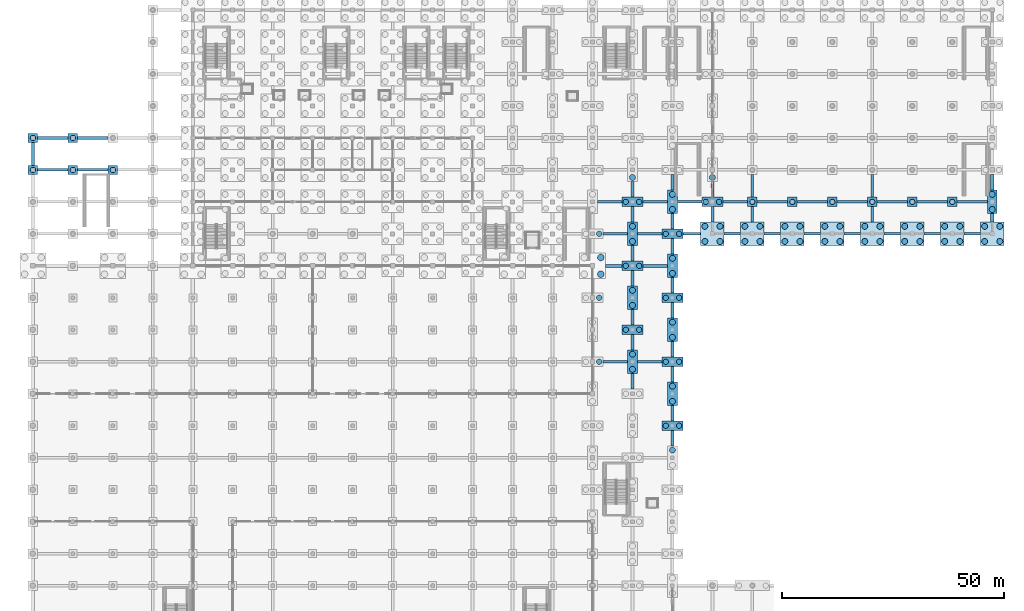
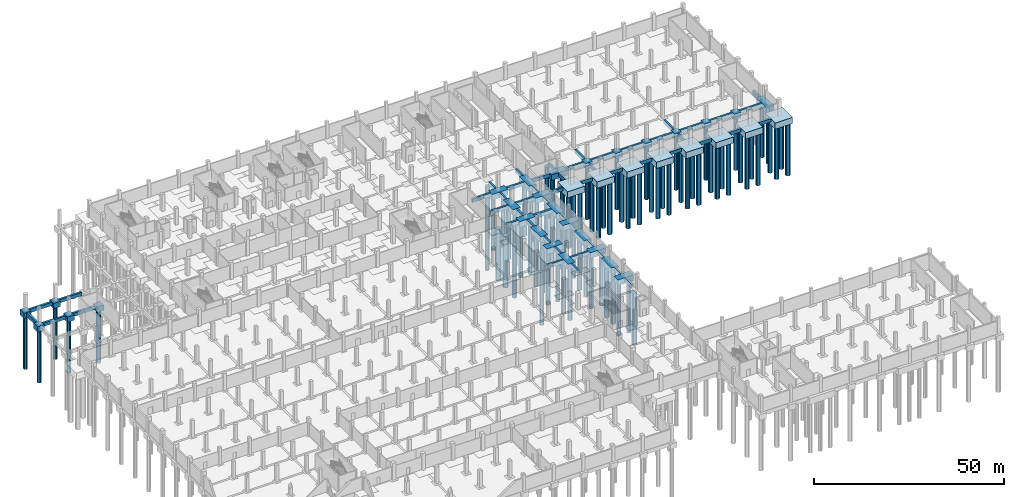
# One storey, part 8 of 39: 88 footings, 83 piles.
"""IFC4 building model written with IfcOpenShell, lengths in metres."""

from ifc_helpers import new_model, si_unit, direction, frame, origin, origin_2d, place, context, subcontext, project, spatial, rectangle, circle, extrude, material, material_profile, profile_set, type_object, element, save


model = new_model("IFC4")

# Units and contexts
model_context = context("Model", 3, precision=1e-05, world=origin(), true_north=direction((0.0, 1.0)))
body_context = subcontext(model_context, "Body", "Model", "MODEL_VIEW")
ifc_project = project(units=[si_unit("LENGTHUNIT", "METRE"), si_unit("AREAUNIT", "SQUARE_METRE"), si_unit("VOLUMEUNIT", "CUBIC_METRE"), si_unit("PLANEANGLEUNIT", "RADIAN"), si_unit("MASSUNIT", "GRAM", prefix="KILO")], contexts=[model_context])

# Site, building, storey
site_placement = place(None, origin())
site = spatial("IfcSite", under=ifc_project, at=site_placement, CompositionType="ELEMENT")
building_placement = place(site_placement, origin())
building = spatial("IfcBuilding", under=site, at=building_placement, Name="Celestram Park Convention Centre", CompositionType="ELEMENT")
storey_placement = place(building_placement, frame((0.0, 0.0, -5.39990234375)))
storey = spatial("IfcBuildingStorey", under=building, at=storey_placement, Name="B1", CompositionType="ELEMENT", Elevation=-5.39990234375)

# Footings
ifc_material_1 = material(Name="Concrete C40/50", Category="concrete")
footing_type_1 = type_object("IfcFootingType", Name="STR-CAP-PC2", PredefinedType="PILE_CAP", material=ifc_material_1)
for number, where, z_axis, x_axis, name in (
    (1, (0.0, 129.60009765625, -1.7001953125), (0.0, 0.0, 1.0), (1.0, 0.0, 0.0), "Caisson cap PC-02 at (0.0, 129.6)"),
    (2, (0.0, 136.800048828125, -1.7001953125), (0.0, 0.0, 1.0), (1.0, 0.0, 0.0), "Caisson cap PC-02 at (0.0, 136.8)"),
    (3, (9.0, 129.60009765625, -1.7001953125), (0.0, 0.0, 1.0), (1.0, 0.0, 0.0), "Caisson cap PC-02 at (9.0, 129.6)"),
    (4, (9.0, 136.800048828125, -1.7001953125), (0.0, 0.0, 1.0), (1.0, 0.0, 0.0), "Caisson cap PC-02 at (9.0, 136.8)"),
    (5, (18.0, 129.60009765625, -1.7001953125), (0.0, 0.0, 1.0), (1.0, 0.0, 0.0), "Caisson cap PC-02 at (18.0, 129.6)"),
    (6, (162.0, 122.39990234375, -1.7001953125), (0.0, 0.0, 1.0), (1.0, 0.0, 0.0), "Caisson cap PC-02 at (162.0, 122.4)"),
    (7, (171.0, 122.39990234375, -1.7001953125), (0.0, 0.0, 1.0), (1.0, 0.0, 0.0), "Caisson cap PC-02 at (171.0, 122.4)"),
    (8, (180.0, 122.39990234375, -1.7001953125), (0.0, 0.0, 1.0), (1.0, 0.0, 0.0), "Caisson cap PC-02 at (180.0, 122.4)"),
    (9, (189.0, 122.39990234375, -1.7001953125), (0.0, 0.0, 1.0), (1.0, 0.0, 0.0), "Caisson cap PC-02 at (189.0, 122.4)"),
    (10, (198.0, 122.39990234375, -1.7001953125), (0.0, 0.0, 1.0), (1.0, 0.0, 0.0), "Caisson cap PC-02 at (198.0, 122.4)"),
    (11, (207.0, 122.39990234375, -1.7001953125), (0.0, 0.0, 1.0), (1.0, 0.0, 0.0), "Caisson cap PC-02 at (207.0, 122.4)"),
):
    element("IfcFooting", number, at=place(storey_placement, frame(where, z_axis=z_axis, x_axis=x_axis)), inside=storey, type_object=footing_type_1, Name=name, PredefinedType="PILE_CAP", context=body_context, shape_type="SweptSolid", body=[
        extrude(rectangle(XDim=2.10009765625, YDim=2.10009765625, at=origin_2d()), origin(), (0.0, 0.0, 1.0), 1.699951171875),
    ])
footing_type_2 = type_object("IfcFootingType", Name="STR-CAP-PC4", PredefinedType="PILE_CAP", material=ifc_material_1)
for number, where, z_axis, x_axis, name in (
    (12, (135.0, 93.60009765625, -1.80029296875), (0.0, 0.0, 1.0), (1.0, 0.0, 0.0), "Caisson cap PC-04 at (135.0, 93.6)"),
    (13, (135.0, 108.0, -1.80029296875), (0.0, 0.0, 1.0), (1.0, 0.0, 0.0), "Caisson cap PC-04 at (135.0, 108.0)"),
    (14, (135.0, 122.39990234375, -1.80029296875), (0.0, 0.0, 1.0), (1.0, 0.0, 0.0), "Caisson cap PC-04 at (135.0, 122.4)"),
    (15, (144.0, 72.0, -1.80029296875), (0.0, 0.0, 1.0), (1.0, 0.0, 0.0), "Caisson cap PC-04 at (144.0, 72.0)"),
    (16, (144.0, 86.39990234375, -1.80029296875), (0.0, 0.0, 1.0), (1.0, 0.0, 0.0), "Caisson cap PC-04 at (144.0, 86.4)"),
    (17, (144.0, 100.800048828125, -1.80029296875), (0.0, 0.0, 1.0), (1.0, 0.0, 0.0), "Caisson cap PC-04 at (144.0, 100.8)"),
    (18, (144.0, 115.199951171875, -1.80029296875), (0.0, 0.0, 1.0), (1.0, 0.0, 0.0), "Caisson cap PC-04 at (144.0, 115.2)"),
    (19, (153.0, 122.39990234375, -1.80029296875), (0.0, 0.0, 1.0), (1.0, 0.0, 0.0), "Caisson cap PC-04 at (153.0, 122.4)"),
):
    element("IfcFooting", number, at=place(storey_placement, frame(where, z_axis=z_axis, x_axis=x_axis)), inside=storey, type_object=footing_type_2, Name=name, PredefinedType="PILE_CAP", context=body_context, shape_type="SweptSolid", body=[
        extrude(rectangle(XDim=4.800048828125, YDim=2.10009765625, at=origin_2d()), origin(), (0.0, 0.0, 1.0), 1.800048828125),
    ])
footing_type_3 = type_object("IfcFootingType", Name="STR-CAP-PC5", PredefinedType="PILE_CAP", material=ifc_material_1)
for number, where, z_axis, x_axis, name in (
    (20, (135.0, 86.39990234375, -1.900146484375), (0.0, 0.0, 1.0), (1.0, 0.0, 0.0), "Caisson cap PC-05 at (135.0, 86.4)"),
    (21, (135.0, 100.800048828125, -1.900146484375), (0.0, 0.0, 1.0), (1.0, 0.0, 0.0), "Caisson cap PC-05 at (135.0, 100.8)"),
    (22, (135.0, 115.199951171875, -1.900146484375), (0.0, 0.0, 1.0), (1.0, 0.0, 0.0), "Caisson cap PC-05 at (135.0, 115.2)"),
    (23, (144.0, 79.199951171875, -1.900146484375), (0.0, 0.0, 1.0), (1.0, 0.0, 0.0), "Caisson cap PC-05 at (144.0, 79.2)"),
    (24, (144.0, 93.60009765625, -1.900146484375), (0.0, 0.0, 1.0), (1.0, 0.0, 0.0), "Caisson cap PC-05 at (144.0, 93.6)"),
    (25, (144.0, 108.0, -1.900146484375), (0.0, 0.0, 1.0), (1.0, 0.0, 0.0), "Caisson cap PC-05 at (144.0, 108.0)"),
    (26, (144.0, 122.39990234375, -1.900146484375), (0.0, 0.0, 1.0), (1.0, 0.0, 0.0), "Caisson cap PC-05 at (144.0, 122.4)"),
    (27, (216.0, 122.39990234375, -1.900146484375), (0.0, 0.0, 1.0), (1.0, 0.0, 0.0), "Caisson cap PC-05 at (216.0, 122.4)"),
):
    element("IfcFooting", number, at=place(storey_placement, frame(where, z_axis=z_axis, x_axis=x_axis)), inside=storey, type_object=footing_type_3, Name=name, PredefinedType="PILE_CAP", context=body_context, shape_type="SweptSolid", body=[
        extrude(rectangle(XDim=2.199951171875, YDim=5.300048828125, at=origin_2d()), origin(), (0.0, 0.0, 1.0), 1.89990234375),
    ])
footing_type_4 = type_object("IfcFootingType", Name="STR-CAP-PC7", PredefinedType="PILE_CAP", material=ifc_material_1)
for number, where, z_axis, x_axis, name in (
    (28, (153.0, 115.199951171875, -2.0), (0.0, 0.0, 1.0), (1.0, 0.0, 0.0), "Caisson cap PC-07 at (153.0, 115.2)"),
    (29, (162.0, 115.199951171875, -2.0), (0.0, 0.0, 1.0), (1.0, 0.0, 0.0), "Caisson cap PC-07 at (162.0, 115.2)"),
    (30, (171.0, 115.199951171875, -2.0), (0.0, 0.0, 1.0), (1.0, 0.0, 0.0), "Caisson cap PC-07 at (171.0, 115.2)"),
    (31, (180.0, 115.199951171875, -2.0), (0.0, 0.0, 1.0), (1.0, 0.0, 0.0), "Caisson cap PC-07 at (180.0, 115.2)"),
    (32, (189.0, 115.199951171875, -2.0), (0.0, 0.0, 1.0), (1.0, 0.0, 0.0), "Caisson cap PC-07 at (189.0, 115.2)"),
    (33, (198.0, 115.199951171875, -2.0), (0.0, 0.0, 1.0), (1.0, 0.0, 0.0), "Caisson cap PC-07 at (198.0, 115.2)"),
    (34, (207.0, 115.199951171875, -2.0), (0.0, 0.0, 1.0), (1.0, 0.0, 0.0), "Caisson cap PC-07 at (207.0, 115.2)"),
    (35, (216.0, 115.199951171875, -2.0), (0.0, 0.0, 1.0), (1.0, 0.0, 0.0), "Caisson cap PC-07 at (216.0, 115.2)"),
):
    element("IfcFooting", number, at=place(storey_placement, frame(where, z_axis=z_axis, x_axis=x_axis)), inside=storey, type_object=footing_type_4, Name=name, PredefinedType="PILE_CAP", context=body_context, shape_type="SweptSolid", body=[
        extrude(rectangle(XDim=5.300048828125, YDim=5.300048828125, at=origin_2d()), origin(), (0.0, 0.0, 1.0), 2.0),
    ])
ifc_material_2 = material(Name="Concrete C35/45", Category="concrete")
footing_type_5 = type_object("IfcFootingType", Name="STR-FTG-GB03", PredefinedType="FOOTING_BEAM", material=ifc_material_2)
footing_1_placement = place(storey_placement, frame((0.0, 133.199951171875, -1.2001953125), z_axis=(0.0, 0.0, 1.0), x_axis=(0.0, 1.0, 0.0)))
element("IfcFooting", 36, at=footing_1_placement, inside=storey, type_object=footing_type_5, Name="Grade tie beam GB-B1-025", PredefinedType="FOOTING_BEAM", context=body_context, shape_type="SweptSolid", body=[
    extrude(rectangle(XDim=5.10009765625, YDim=0.699951171875, at=origin_2d()), origin(), (0.0, 0.0, 1.0), 1.199951171875),
])
footing_type_6 = type_object("IfcFootingType", Name="STR-FTG-GB05", PredefinedType="FOOTING_BEAM", material=ifc_material_2)
for number, where, z_axis, x_axis, name in (
    (37, (4.5, 129.60009765625, -1.10009765625), (0.0, 0.0, 1.0), (1.0, 0.0, 0.0), "Grade tie beam GB-B1-024"),
    (38, (4.5, 136.800048828125, -1.10009765625), (0.0, 0.0, 1.0), (1.0, 0.0, 0.0), "Grade tie beam GB-B1-026"),
    (39, (13.5, 129.60009765625, -1.10009765625), (0.0, 0.0, 1.0), (1.0, 0.0, 0.0), "Grade tie beam GB-B1-035"),
    (40, (13.5, 136.800048828125, -1.10009765625), (0.0, 0.0, 1.0), (1.0, 0.0, 0.0), "Grade tie beam GB-B1-036"),
    (41, (166.5, 122.39990234375, -1.10009765625), (0.0, 0.0, 1.0), (1.0, 0.0, 0.0), "Grade tie beam GB-B1-473"),
    (42, (175.5, 122.39990234375, -1.10009765625), (0.0, 0.0, 1.0), (1.0, 0.0, 0.0), "Grade tie beam GB-B1-488"),
    (43, (184.5, 122.39990234375, -1.10009765625), (0.0, 0.0, 1.0), (1.0, 0.0, 0.0), "Grade tie beam GB-B1-497"),
    (44, (193.5, 122.39990234375, -1.10009765625), (0.0, 0.0, 1.0), (1.0, 0.0, 0.0), "Grade tie beam GB-B1-512"),
    (45, (202.5, 122.39990234375, -1.10009765625), (0.0, 0.0, 1.0), (1.0, 0.0, 0.0), "Grade tie beam GB-B1-527"),
):
    element("IfcFooting", number, at=place(storey_placement, frame(where, z_axis=z_axis, x_axis=x_axis)), inside=storey, type_object=footing_type_6, Name=name, PredefinedType="FOOTING_BEAM", context=body_context, shape_type="SweptSolid", body=[
        extrude(rectangle(XDim=6.89990234375, YDim=0.60009765625, at=origin_2d()), origin(), (0.0, 0.0, 1.0), 1.10009765625),
    ])
footing_type_7 = type_object("IfcFootingType", Name="STR-FTG-GB09", PredefinedType="FOOTING_BEAM", material=ifc_material_2)
for number, where, z_axis, x_axis, name in (
    (46, (162.0, 126.0, -1.10009765625), (0.0, 0.0, 1.0), (0.0, 1.0, 0.0), "Grade tie beam GB-B1-474"),
    (47, (189.0, 126.0, -1.10009765625), (0.0, 0.0, 1.0), (0.0, 1.0, 0.0), "Grade tie beam GB-B1-513"),
):
    element("IfcFooting", number, at=place(storey_placement, frame(where, z_axis=z_axis, x_axis=x_axis)), inside=storey, type_object=footing_type_7, Name=name, PredefinedType="FOOTING_BEAM", context=body_context, shape_type="SweptSolid", body=[
        extrude(rectangle(XDim=5.10009765625, YDim=0.60009765625, at=origin_2d()), origin(), (0.0, 0.0, 1.0), 1.10009765625),
    ])
footing_type_8 = type_object("IfcFootingType", Name="STR-FTG-GB17", PredefinedType="FOOTING_BEAM", material=ifc_material_2)
for number, where, z_axis, x_axis, name in (
    (48, (157.5, 115.199951171875, -1.10009765625), (0.0, 0.0, 1.0), (1.0, 0.0, 0.0), "Grade tie beam GB-B1-450"),
    (49, (166.5, 115.199951171875, -1.10009765625), (0.0, 0.0, 1.0), (1.0, 0.0, 0.0), "Grade tie beam GB-B1-471"),
    (50, (175.5, 115.199951171875, -1.10009765625), (0.0, 0.0, 1.0), (1.0, 0.0, 0.0), "Grade tie beam GB-B1-487"),
    (51, (184.5, 115.199951171875, -1.10009765625), (0.0, 0.0, 1.0), (1.0, 0.0, 0.0), "Grade tie beam GB-B1-496"),
    (52, (193.5, 115.199951171875, -1.10009765625), (0.0, 0.0, 1.0), (1.0, 0.0, 0.0), "Grade tie beam GB-B1-510"),
    (53, (202.5, 115.199951171875, -1.10009765625), (0.0, 0.0, 1.0), (1.0, 0.0, 0.0), "Grade tie beam GB-B1-526"),
    (54, (211.5, 115.199951171875, -1.10009765625), (0.0, 0.0, 1.0), (1.0, 0.0, 0.0), "Grade tie beam GB-B1-535"),
):
    element("IfcFooting", number, at=place(storey_placement, frame(where, z_axis=z_axis, x_axis=x_axis)), inside=storey, type_object=footing_type_8, Name=name, PredefinedType="FOOTING_BEAM", context=body_context, shape_type="SweptSolid", body=[
        extrude(rectangle(XDim=3.699951171875, YDim=0.60009765625, at=origin_2d()), origin(), (0.0, 0.0, 1.0), 1.10009765625),
    ])
footing_type_9 = type_object("IfcFootingType", Name="STR-FTG-GB18", PredefinedType="FOOTING_BEAM", material=ifc_material_2)
footing_2_placement = place(storey_placement, frame((216.0, 118.800048828125, -1.2001953125), z_axis=(0.0, 0.0, 1.0), x_axis=(0.0, 1.0, 0.0)))
element("IfcFooting", 55, at=footing_2_placement, inside=storey, type_object=footing_type_9, Name="Grade tie beam GB-B1-546", PredefinedType="FOOTING_BEAM", context=body_context, shape_type="SweptSolid", body=[
    extrude(rectangle(XDim=1.89990234375, YDim=0.699951171875, at=origin_2d()), origin(), (0.0, 0.0, 1.0), 1.199951171875),
])
footing_type_10 = type_object("IfcFootingType", Name="STR-FTG-GB19", PredefinedType="FOOTING_BEAM", material=ifc_material_2)
footing_3_placement = place(storey_placement, frame((130.75, 108.0, -1.2001953125), z_axis=(0.0, 0.0, 1.0), x_axis=(1.0, 0.0, 0.0)))
element("IfcFooting", 56, at=footing_3_placement, inside=storey, type_object=footing_type_10, Name="Grade tie beam GB-B1-363", PredefinedType="FOOTING_BEAM", context=body_context, shape_type="SweptSolid", body=[
    extrude(rectangle(XDim=3.699951171875, YDim=0.699951171875, at=origin_2d()), origin(), (0.0, 0.0, 1.0), 1.199951171875),
])
footing_type_11 = type_object("IfcFootingType", Name="STR-FTG-GB23", PredefinedType="FOOTING_BEAM", material=ifc_material_2)
for number, where, z_axis, x_axis, name in (
    (57, (135.0, 82.0, -1.10009765625), (0.0, 0.0, 1.0), (0.0, 1.0, 0.0), "Grade tie beam GB-B1-390"),
    (58, (135.0, 90.800048828125, -1.10009765625), (0.0, 0.0, 1.0), (0.0, 1.0, 0.0), "Grade tie beam GB-B1-392"),
    (59, (135.0, 96.39990234375, -1.10009765625), (0.0, 0.0, 1.0), (0.0, 1.0, 0.0), "Grade tie beam GB-B1-393"),
    (60, (135.0, 105.199951171875, -1.10009765625), (0.0, 0.0, 1.0), (0.0, 1.0, 0.0), "Grade tie beam GB-B1-394"),
    (61, (135.0, 110.800048828125, -1.10009765625), (0.0, 0.0, 1.0), (0.0, 1.0, 0.0), "Grade tie beam GB-B1-396"),
    (62, (135.0, 119.60009765625, -1.10009765625), (0.0, 0.0, 1.0), (0.0, 1.0, 0.0), "Grade tie beam GB-B1-398"),
    (63, (135.0, 125.199951171875, -1.10009765625), (0.0, 0.0, 1.0), (0.0, 1.0, 0.0), "Grade tie beam GB-B1-400"),
    (64, (144.0, 69.199951171875, -1.10009765625), (0.0, 0.0, 1.0), (0.0, 1.0, 0.0), "Grade tie beam GB-B1-422"),
    (65, (144.0, 74.800048828125, -1.10009765625), (0.0, 0.0, 1.0), (0.0, 1.0, 0.0), "Grade tie beam GB-B1-423"),
    (66, (144.0, 83.60009765625, -1.10009765625), (0.0, 0.0, 1.0), (0.0, 1.0, 0.0), "Grade tie beam GB-B1-424"),
    (67, (144.0, 89.199951171875, -1.10009765625), (0.0, 0.0, 1.0), (0.0, 1.0, 0.0), "Grade tie beam GB-B1-425"),
    (68, (144.0, 98.0, -1.10009765625), (0.0, 0.0, 1.0), (0.0, 1.0, 0.0), "Grade tie beam GB-B1-426"),
    (69, (144.0, 103.60009765625, -1.10009765625), (0.0, 0.0, 1.0), (0.0, 1.0, 0.0), "Grade tie beam GB-B1-427"),
    (70, (144.0, 112.39990234375, -1.10009765625), (0.0, 0.0, 1.0), (0.0, 1.0, 0.0), "Grade tie beam GB-B1-428"),
    (71, (144.0, 118.0, -1.10009765625), (0.0, 0.0, 1.0), (0.0, 1.0, 0.0), "Grade tie beam GB-B1-430"),
    (72, (144.0, 126.800048828125, -1.10009765625), (0.0, 0.0, 1.0), (0.0, 1.0, 0.0), "Grade tie beam GB-B1-432"),
    (73, (153.0, 119.60009765625, -1.10009765625), (0.0, 0.0, 1.0), (0.0, 1.0, 0.0), "Grade tie beam GB-B1-451"),
    (74, (153.0, 125.199951171875, -1.10009765625), (0.0, 0.0, 1.0), (0.0, 1.0, 0.0), "Grade tie beam GB-B1-453"),
    (75, (162.0, 119.60009765625, -1.10009765625), (0.0, 0.0, 1.0), (0.0, 1.0, 0.0), "Grade tie beam GB-B1-472"),
    (76, (189.0, 119.60009765625, -1.10009765625), (0.0, 0.0, 1.0), (0.0, 1.0, 0.0), "Grade tie beam GB-B1-511"),
):
    element("IfcFooting", number, at=place(storey_placement, frame(where, z_axis=z_axis, x_axis=x_axis)), inside=storey, type_object=footing_type_11, Name=name, PredefinedType="FOOTING_BEAM", context=body_context, shape_type="SweptSolid", body=[
        extrude(rectangle(XDim=3.5, YDim=0.60009765625, at=origin_2d()), origin(), (0.0, 0.0, 1.0), 1.10009765625),
    ])
footing_type_12 = type_object("IfcFootingType", Name="STR-FTG-GB25", PredefinedType="FOOTING_BEAM", material=ifc_material_2)
footing_4_placement = place(storey_placement, frame((158.175048828125, 122.39990234375, -1.10009765625), z_axis=(0.0, 0.0, 1.0), x_axis=(1.0, 0.0, 0.0)))
element("IfcFooting", 77, at=footing_4_placement, inside=storey, type_object=footing_type_12, Name="Grade tie beam GB-B1-452", PredefinedType="FOOTING_BEAM", context=body_context, shape_type="SweptSolid", body=[
    extrude(rectangle(XDim=5.550048828125, YDim=0.60009765625, at=origin_2d()), origin(), (0.0, 0.0, 1.0), 1.10009765625),
])
footing_type_13 = type_object("IfcFootingType", Name="STR-FTG-GB26", PredefinedType="FOOTING_BEAM", material=ifc_material_2)
footing_5_placement = place(storey_placement, frame((148.375, 115.199951171875, -1.10009765625), z_axis=(0.0, 0.0, 1.0), x_axis=(1.0, 0.0, 0.0)))
element("IfcFooting", 78, at=footing_5_placement, inside=storey, type_object=footing_type_13, Name="Grade tie beam GB-B1-429", PredefinedType="FOOTING_BEAM", context=body_context, shape_type="SweptSolid", body=[
    extrude(rectangle(XDim=3.949951171875, YDim=0.60009765625, at=origin_2d()), origin(), (0.0, 0.0, 1.0), 1.10009765625),
])
footing_type_14 = type_object("IfcFootingType", Name="STR-FTG-GB33", PredefinedType="FOOTING_BEAM", material=ifc_material_2)
for number, where, z_axis, x_axis, name in (
    (79, (131.14990234375, 86.39990234375, -1.10009765625), (0.0, 0.0, 1.0), (1.0, 0.0, 0.0), "Grade tie beam GB-B1-359"),
    (80, (131.14990234375, 115.199951171875, -1.10009765625), (0.0, 0.0, 1.0), (1.0, 0.0, 0.0), "Grade tie beam GB-B1-365"),
    (81, (129.85009765625, 122.39990234375, -1.10009765625), (0.0, 0.0, 1.0), (1.0, 0.0, 0.0), "Grade tie beam GB-B1-367"),
    (82, (138.85009765625, 86.39990234375, -1.10009765625), (0.0, 0.0, 1.0), (1.0, 0.0, 0.0), "Grade tie beam GB-B1-391"),
    (83, (138.85009765625, 115.199951171875, -1.10009765625), (0.0, 0.0, 1.0), (1.0, 0.0, 0.0), "Grade tie beam GB-B1-397"),
    (84, (140.14990234375, 122.39990234375, -1.10009765625), (0.0, 0.0, 1.0), (1.0, 0.0, 0.0), "Grade tie beam GB-B1-399"),
    (85, (147.85009765625, 122.39990234375, -1.10009765625), (0.0, 0.0, 1.0), (1.0, 0.0, 0.0), "Grade tie beam GB-B1-431"),
):
    element("IfcFooting", number, at=place(storey_placement, frame(where, z_axis=z_axis, x_axis=x_axis)), inside=storey, type_object=footing_type_14, Name=name, PredefinedType="FOOTING_BEAM", context=body_context, shape_type="SweptSolid", body=[
        extrude(rectangle(XDim=5.5, YDim=0.60009765625, at=origin_2d()), origin(), (0.0, 0.0, 1.0), 1.10009765625),
    ])
footing_type_15 = type_object("IfcFootingType", Name="STR-FTG-GB34", PredefinedType="FOOTING_BEAM", material=ifc_material_2)
footing_6_placement = place(storey_placement, frame((140.14990234375, 108.0, -1.2001953125), z_axis=(0.0, 0.0, 1.0), x_axis=(1.0, 0.0, 0.0)))
element("IfcFooting", 86, at=footing_6_placement, inside=storey, type_object=footing_type_15, Name="Grade tie beam GB-B1-395", PredefinedType="FOOTING_BEAM", context=body_context, shape_type="SweptSolid", body=[
    extrude(rectangle(XDim=5.5, YDim=0.699951171875, at=origin_2d()), origin(), (0.0, 0.0, 1.0), 1.199951171875),
])
footing_type_16 = type_object("IfcFootingType", Name="STR-FTG-GB39", PredefinedType="FOOTING_BEAM", material=ifc_material_2)
footing_7_placement = place(storey_placement, frame((216.0, 126.800048828125, -1.2001953125), z_axis=(0.0, 0.0, 1.0), x_axis=(0.0, 1.0, 0.0)))
element("IfcFooting", 87, at=footing_7_placement, inside=storey, type_object=footing_type_16, Name="Grade tie beam GB-B1-547", PredefinedType="FOOTING_BEAM", context=body_context, shape_type="SweptSolid", body=[
    extrude(rectangle(XDim=3.5, YDim=0.699951171875, at=origin_2d()), origin(), (0.0, 0.0, 1.0), 1.199951171875),
])
footing_type_17 = type_object("IfcFootingType", Name="STR-FTG-GB46", PredefinedType="FOOTING_BEAM", material=ifc_material_2)
footing_8_placement = place(storey_placement, frame((211.47509765625, 122.39990234375, -1.10009765625), z_axis=(0.0, 0.0, 1.0), x_axis=(1.0, 0.0, 0.0)))
element("IfcFooting", 88, at=footing_8_placement, inside=storey, type_object=footing_type_17, Name="Grade tie beam GB-B1-536", PredefinedType="FOOTING_BEAM", context=body_context, shape_type="SweptSolid", body=[
    extrude(rectangle(XDim=6.85009765625, YDim=0.60009765625, at=origin_2d()), origin(), (0.0, 0.0, 1.0), 1.10009765625),
])

# Piles
ifc_material_profile_1 = material_profile(ifc_material_1, circle(Radius=0.60009765625, at=origin_2d()), Name="CAISSON1200")
ifc_profile_set_1 = profile_set([ifc_material_profile_1], Name="Concrete C40/50")
pile_type_1 = type_object("IfcPileType", Name="STR-PIL-C1200", PredefinedType="BORED", material=ifc_profile_set_1)
for number, where, z_axis, x_axis, name in (
    (89, (0.0, 129.60009765625, -1.60009765625), (0.0, 0.0, -1.0), (1.0, 0.0, 0.0), "Bored caisson PC-B1-022"),
    (90, (0.0, 136.800048828125, -1.60009765625), (0.0, 0.0, -1.0), (1.0, 0.0, 0.0), "Bored caisson PC-B1-023"),
    (91, (9.0, 129.60009765625, -1.60009765625), (0.0, 0.0, -1.0), (1.0, 0.0, 0.0), "Bored caisson PC-B1-039"),
    (92, (9.0, 136.800048828125, -1.60009765625), (0.0, 0.0, -1.0), (1.0, 0.0, 0.0), "Bored caisson PC-B1-040"),
    (93, (18.0, 129.60009765625, -1.60009765625), (0.0, 0.0, -1.0), (1.0, 0.0, 0.0), "Bored caisson PC-B1-062"),
):
    element("IfcPile", number, at=place(storey_placement, frame(where, z_axis=z_axis, x_axis=x_axis)), inside=storey, type_object=pile_type_1, Name=name, PredefinedType="BORED", context=body_context, shape_type="SweptSolid", body=[
        extrude(circle(Radius=0.60009765625, at=origin_2d()), origin(), (0.0, 0.0, 1.0), 17.0),
    ])
for number, where, z_axis, x_axis, name in (
    (94, (127.5, 86.39990234375, -1.7001953125), (0.0, 0.0, -1.0), (1.0, 0.0, 0.0), "Bored caisson PC-B1-598"),
    (95, (127.5, 100.800048828125, -1.7001953125), (0.0, 0.0, -1.0), (1.0, 0.0, 0.0), "Bored caisson PC-B1-602"),
    (96, (127.5, 115.199951171875, -1.7001953125), (0.0, 0.0, -1.0), (1.0, 0.0, 0.0), "Bored caisson PC-B1-608"),
    (97, (133.5, 93.60009765625, -1.7001953125), (0.0, 0.0, -1.0), (1.0, 0.0, 0.0), "Bored caisson PC-B1-641"),
    (98, (136.5, 93.60009765625, -1.7001953125), (0.0, 0.0, -1.0), (1.0, 0.0, 0.0), "Bored caisson PC-B1-642"),
    (99, (133.5, 108.0, -1.7001953125), (0.0, 0.0, -1.0), (1.0, 0.0, 0.0), "Bored caisson PC-B1-645"),
    (100, (136.5, 108.0, -1.7001953125), (0.0, 0.0, -1.0), (1.0, 0.0, 0.0), "Bored caisson PC-B1-646"),
    (101, (133.5, 122.39990234375, -1.7001953125), (0.0, 0.0, -1.0), (1.0, 0.0, 0.0), "Bored caisson PC-B1-649"),
    (102, (136.5, 122.39990234375, -1.7001953125), (0.0, 0.0, -1.0), (1.0, 0.0, 0.0), "Bored caisson PC-B1-650"),
    (103, (142.5, 72.0, -1.7001953125), (0.0, 0.0, -1.0), (1.0, 0.0, 0.0), "Bored caisson PC-B1-678"),
    (104, (145.5, 72.0, -1.7001953125), (0.0, 0.0, -1.0), (1.0, 0.0, 0.0), "Bored caisson PC-B1-679"),
    (105, (142.5, 86.39990234375, -1.7001953125), (0.0, 0.0, -1.0), (1.0, 0.0, 0.0), "Bored caisson PC-B1-682"),
    (106, (145.5, 86.39990234375, -1.7001953125), (0.0, 0.0, -1.0), (1.0, 0.0, 0.0), "Bored caisson PC-B1-683"),
    (107, (142.5, 100.800048828125, -1.7001953125), (0.0, 0.0, -1.0), (1.0, 0.0, 0.0), "Bored caisson PC-B1-686"),
    (108, (145.5, 100.800048828125, -1.7001953125), (0.0, 0.0, -1.0), (1.0, 0.0, 0.0), "Bored caisson PC-B1-687"),
    (109, (142.5, 115.199951171875, -1.7001953125), (0.0, 0.0, -1.0), (1.0, 0.0, 0.0), "Bored caisson PC-B1-690"),
    (110, (145.5, 115.199951171875, -1.7001953125), (0.0, 0.0, -1.0), (1.0, 0.0, 0.0), "Bored caisson PC-B1-691"),
    (111, (151.5, 122.39990234375, -1.7001953125), (0.0, 0.0, -1.0), (1.0, 0.0, 0.0), "Bored caisson PC-B1-716"),
    (112, (154.5, 122.39990234375, -1.7001953125), (0.0, 0.0, -1.0), (1.0, 0.0, 0.0), "Bored caisson PC-B1-717"),
):
    element("IfcPile", number, at=place(storey_placement, frame(where, z_axis=z_axis, x_axis=x_axis)), inside=storey, type_object=pile_type_1, Name=name, PredefinedType="BORED", context=body_context, shape_type="SweptSolid", body=[
        extrude(circle(Radius=0.60009765625, at=origin_2d()), origin(), (0.0, 0.0, 1.0), 16.89990234375),
    ])
for number, where, z_axis, x_axis, name in (
    (113, (162.0, 122.39990234375, -1.60009765625), (0.0, 0.0, -1.0), (1.0, 0.0, 0.0), "Bored caisson PC-B1-754"),
    (114, (171.0, 122.39990234375, -1.60009765625), (0.0, 0.0, -1.0), (1.0, 0.0, 0.0), "Bored caisson PC-B1-774"),
    (115, (180.0, 122.39990234375, -1.60009765625), (0.0, 0.0, -1.0), (1.0, 0.0, 0.0), "Bored caisson PC-B1-794"),
    (116, (189.0, 122.39990234375, -1.60009765625), (0.0, 0.0, -1.0), (1.0, 0.0, 0.0), "Bored caisson PC-B1-818"),
    (117, (198.0, 122.39990234375, -1.60009765625), (0.0, 0.0, -1.0), (1.0, 0.0, 0.0), "Bored caisson PC-B1-838"),
    (118, (207.0, 122.39990234375, -1.60009765625), (0.0, 0.0, -1.0), (1.0, 0.0, 0.0), "Bored caisson PC-B1-858"),
):
    element("IfcPile", number, at=place(storey_placement, frame(where, z_axis=z_axis, x_axis=x_axis)), inside=storey, type_object=pile_type_1, Name=name, PredefinedType="BORED", context=body_context, shape_type="SweptSolid", body=[
        extrude(circle(Radius=0.60009765625, at=origin_2d()), origin(), (0.0, 0.0, 1.0), 17.0),
    ])
ifc_material_profile_2 = material_profile(ifc_material_1, circle(Radius=0.675048828125, at=origin_2d()), Name="CAISSON1350")
ifc_profile_set_2 = profile_set([ifc_material_profile_2], Name="Concrete C40/50")
pile_type_2 = type_object("IfcPileType", Name="STR-PIL-C1350", PredefinedType="BORED", material=ifc_profile_set_2)
for number, where, z_axis, x_axis, name in (
    (119, (135.0, 84.699951171875, -1.800048828125), (0.0, 0.0, -1.0), (1.0, 0.0, 0.0), "Bored caisson PC-B1-639"),
    (120, (135.0, 88.10009765625, -1.800048828125), (0.0, 0.0, -1.0), (1.0, 0.0, 0.0), "Bored caisson PC-B1-640"),
    (121, (135.0, 99.10009765625, -1.800048828125), (0.0, 0.0, -1.0), (1.0, 0.0, 0.0), "Bored caisson PC-B1-643"),
    (122, (135.0, 102.5, -1.800048828125), (0.0, 0.0, -1.0), (1.0, 0.0, 0.0), "Bored caisson PC-B1-644"),
    (123, (135.0, 113.5, -1.800048828125), (0.0, 0.0, -1.0), (1.0, 0.0, 0.0), "Bored caisson PC-B1-647"),
    (124, (135.0, 116.89990234375, -1.800048828125), (0.0, 0.0, -1.0), (1.0, 0.0, 0.0), "Bored caisson PC-B1-648"),
    (125, (135.0, 127.89990234375, -1.800048828125), (0.0, 0.0, -1.0), (1.0, 0.0, 0.0), "Bored caisson PC-B1-651"),
    (126, (144.0, 66.5, -1.800048828125), (0.0, 0.0, -1.0), (1.0, 0.0, 0.0), "Bored caisson PC-B1-677"),
    (127, (144.0, 77.5, -1.800048828125), (0.0, 0.0, -1.0), (1.0, 0.0, 0.0), "Bored caisson PC-B1-680"),
    (128, (144.0, 80.89990234375, -1.800048828125), (0.0, 0.0, -1.0), (1.0, 0.0, 0.0), "Bored caisson PC-B1-681"),
    (129, (144.0, 91.89990234375, -1.800048828125), (0.0, 0.0, -1.0), (1.0, 0.0, 0.0), "Bored caisson PC-B1-684"),
    (130, (144.0, 95.300048828125, -1.800048828125), (0.0, 0.0, -1.0), (1.0, 0.0, 0.0), "Bored caisson PC-B1-685"),
    (131, (144.0, 106.300048828125, -1.800048828125), (0.0, 0.0, -1.0), (1.0, 0.0, 0.0), "Bored caisson PC-B1-688"),
    (132, (144.0, 109.699951171875, -1.800048828125), (0.0, 0.0, -1.0), (1.0, 0.0, 0.0), "Bored caisson PC-B1-689"),
    (133, (144.0, 120.699951171875, -1.800048828125), (0.0, 0.0, -1.0), (1.0, 0.0, 0.0), "Bored caisson PC-B1-692"),
    (134, (144.0, 124.10009765625, -1.800048828125), (0.0, 0.0, -1.0), (1.0, 0.0, 0.0), "Bored caisson PC-B1-693"),
):
    element("IfcPile", number, at=place(storey_placement, frame(where, z_axis=z_axis, x_axis=x_axis)), inside=storey, type_object=pile_type_2, Name=name, PredefinedType="BORED", context=body_context, shape_type="SweptSolid", body=[
        extrude(circle(Radius=0.675048828125, at=origin_2d()), origin(), (0.0, 0.0, 1.0), 16.800048828125),
    ])
for number, where, z_axis, x_axis, name in (
    (135, (151.300048828125, 113.5, -1.900146484375), (0.0, 0.0, -1.0), (1.0, 0.0, 0.0), "Bored caisson PC-B1-712"),
    (136, (154.699951171875, 113.5, -1.900146484375), (0.0, 0.0, -1.0), (1.0, 0.0, 0.0), "Bored caisson PC-B1-713"),
    (137, (151.300048828125, 116.89990234375, -1.900146484375), (0.0, 0.0, -1.0), (1.0, 0.0, 0.0), "Bored caisson PC-B1-714"),
    (138, (154.699951171875, 116.89990234375, -1.900146484375), (0.0, 0.0, -1.0), (1.0, 0.0, 0.0), "Bored caisson PC-B1-715"),
):
    element("IfcPile", number, at=place(storey_placement, frame(where, z_axis=z_axis, x_axis=x_axis)), inside=storey, type_object=pile_type_2, Name=name, PredefinedType="BORED", context=body_context, shape_type="SweptSolid", body=[
        extrude(circle(Radius=0.675048828125, at=origin_2d()), origin(), (0.0, 0.0, 1.0), 16.699951171875),
    ])
pile_placement = place(storey_placement, frame((153.0, 127.89990234375, -1.800048828125), z_axis=(0.0, 0.0, -1.0), x_axis=(1.0, 0.0, 0.0)))
element("IfcPile", 139, at=pile_placement, inside=storey, type_object=pile_type_2, Name="Bored caisson PC-B1-718", PredefinedType="BORED", context=body_context, shape_type="SweptSolid", body=[
    extrude(circle(Radius=0.675048828125, at=origin_2d()), origin(), (0.0, 0.0, 1.0), 16.800048828125),
])
for number, where, z_axis, x_axis, name in (
    (140, (160.300048828125, 113.5, -1.900146484375), (0.0, 0.0, -1.0), (1.0, 0.0, 0.0), "Bored caisson PC-B1-750"),
    (141, (163.699951171875, 113.5, -1.900146484375), (0.0, 0.0, -1.0), (1.0, 0.0, 0.0), "Bored caisson PC-B1-751"),
    (142, (160.300048828125, 116.89990234375, -1.900146484375), (0.0, 0.0, -1.0), (1.0, 0.0, 0.0), "Bored caisson PC-B1-752"),
    (143, (163.699951171875, 116.89990234375, -1.900146484375), (0.0, 0.0, -1.0), (1.0, 0.0, 0.0), "Bored caisson PC-B1-753"),
    (144, (169.300048828125, 113.5, -1.900146484375), (0.0, 0.0, -1.0), (1.0, 0.0, 0.0), "Bored caisson PC-B1-770"),
    (145, (172.699951171875, 113.5, -1.900146484375), (0.0, 0.0, -1.0), (1.0, 0.0, 0.0), "Bored caisson PC-B1-771"),
    (146, (169.300048828125, 116.89990234375, -1.900146484375), (0.0, 0.0, -1.0), (1.0, 0.0, 0.0), "Bored caisson PC-B1-772"),
    (147, (172.699951171875, 116.89990234375, -1.900146484375), (0.0, 0.0, -1.0), (1.0, 0.0, 0.0), "Bored caisson PC-B1-773"),
    (148, (178.300048828125, 113.5, -1.900146484375), (0.0, 0.0, -1.0), (1.0, 0.0, 0.0), "Bored caisson PC-B1-790"),
    (149, (181.699951171875, 113.5, -1.900146484375), (0.0, 0.0, -1.0), (1.0, 0.0, 0.0), "Bored caisson PC-B1-791"),
    (150, (178.300048828125, 116.89990234375, -1.900146484375), (0.0, 0.0, -1.0), (1.0, 0.0, 0.0), "Bored caisson PC-B1-792"),
    (151, (181.699951171875, 116.89990234375, -1.900146484375), (0.0, 0.0, -1.0), (1.0, 0.0, 0.0), "Bored caisson PC-B1-793"),
    (152, (187.300048828125, 113.5, -1.900146484375), (0.0, 0.0, -1.0), (1.0, 0.0, 0.0), "Bored caisson PC-B1-814"),
    (153, (190.699951171875, 113.5, -1.900146484375), (0.0, 0.0, -1.0), (1.0, 0.0, 0.0), "Bored caisson PC-B1-815"),
    (154, (187.300048828125, 116.89990234375, -1.900146484375), (0.0, 0.0, -1.0), (1.0, 0.0, 0.0), "Bored caisson PC-B1-816"),
    (155, (190.699951171875, 116.89990234375, -1.900146484375), (0.0, 0.0, -1.0), (1.0, 0.0, 0.0), "Bored caisson PC-B1-817"),
    (156, (196.300048828125, 113.5, -1.900146484375), (0.0, 0.0, -1.0), (1.0, 0.0, 0.0), "Bored caisson PC-B1-834"),
    (157, (199.699951171875, 113.5, -1.900146484375), (0.0, 0.0, -1.0), (1.0, 0.0, 0.0), "Bored caisson PC-B1-835"),
    (158, (196.300048828125, 116.89990234375, -1.900146484375), (0.0, 0.0, -1.0), (1.0, 0.0, 0.0), "Bored caisson PC-B1-836"),
    (159, (199.699951171875, 116.89990234375, -1.900146484375), (0.0, 0.0, -1.0), (1.0, 0.0, 0.0), "Bored caisson PC-B1-837"),
    (160, (205.300048828125, 113.5, -1.900146484375), (0.0, 0.0, -1.0), (1.0, 0.0, 0.0), "Bored caisson PC-B1-854"),
    (161, (208.699951171875, 113.5, -1.900146484375), (0.0, 0.0, -1.0), (1.0, 0.0, 0.0), "Bored caisson PC-B1-855"),
    (162, (205.300048828125, 116.89990234375, -1.900146484375), (0.0, 0.0, -1.0), (1.0, 0.0, 0.0), "Bored caisson PC-B1-856"),
    (163, (208.699951171875, 116.89990234375, -1.900146484375), (0.0, 0.0, -1.0), (1.0, 0.0, 0.0), "Bored caisson PC-B1-857"),
    (164, (214.300048828125, 113.5, -1.900146484375), (0.0, 0.0, -1.0), (1.0, 0.0, 0.0), "Bored caisson PC-B1-874"),
    (165, (217.699951171875, 113.5, -1.900146484375), (0.0, 0.0, -1.0), (1.0, 0.0, 0.0), "Bored caisson PC-B1-875"),
    (166, (214.300048828125, 116.89990234375, -1.900146484375), (0.0, 0.0, -1.0), (1.0, 0.0, 0.0), "Bored caisson PC-B1-876"),
    (167, (217.699951171875, 116.89990234375, -1.900146484375), (0.0, 0.0, -1.0), (1.0, 0.0, 0.0), "Bored caisson PC-B1-877"),
):
    element("IfcPile", number, at=place(storey_placement, frame(where, z_axis=z_axis, x_axis=x_axis)), inside=storey, type_object=pile_type_2, Name=name, PredefinedType="BORED", context=body_context, shape_type="SweptSolid", body=[
        extrude(circle(Radius=0.675048828125, at=origin_2d()), origin(), (0.0, 0.0, 1.0), 16.699951171875),
    ])
for number, where, z_axis, x_axis, name in (
    (168, (216.0, 120.699951171875, -1.800048828125), (0.0, 0.0, -1.0), (1.0, 0.0, 0.0), "Bored caisson PC-B1-878"),
    (169, (216.0, 124.10009765625, -1.800048828125), (0.0, 0.0, -1.0), (1.0, 0.0, 0.0), "Bored caisson PC-B1-879"),
):
    element("IfcPile", number, at=place(storey_placement, frame(where, z_axis=z_axis, x_axis=x_axis)), inside=storey, type_object=pile_type_2, Name=name, PredefinedType="BORED", context=body_context, shape_type="SweptSolid", body=[
        extrude(circle(Radius=0.675048828125, at=origin_2d()), origin(), (0.0, 0.0, 1.0), 16.800048828125),
    ])
ifc_material_profile_3 = material_profile(ifc_material_1, circle(Radius=0.75, at=origin_2d()), Name="CAISSON1500")
ifc_profile_set_3 = profile_set([ifc_material_profile_3], Name="Concrete C40/50")
pile_type_3 = type_object("IfcPileType", Name="STR-PIL-C1500", PredefinedType="BORED", material=ifc_profile_set_3)
for number, where, z_axis, x_axis, name in (
    (170, (127.875, 106.125, -2.10009765625), (0.0, 0.0, -1.0), (1.0, 0.0, 0.0), "Bored caisson PC-B1-604"),
    (171, (127.875, 109.875, -2.10009765625), (0.0, 0.0, -1.0), (1.0, 0.0, 0.0), "Bored caisson PC-B1-606"),
):
    element("IfcPile", number, at=place(storey_placement, frame(where, z_axis=z_axis, x_axis=x_axis)), inside=storey, type_object=pile_type_3, Name=name, PredefinedType="BORED", context=body_context, shape_type="SweptSolid", body=[
        extrude(circle(Radius=0.75, at=origin_2d()), origin(), (0.0, 0.0, 1.0), 16.5),
    ])

save(model, "model.ifc")
